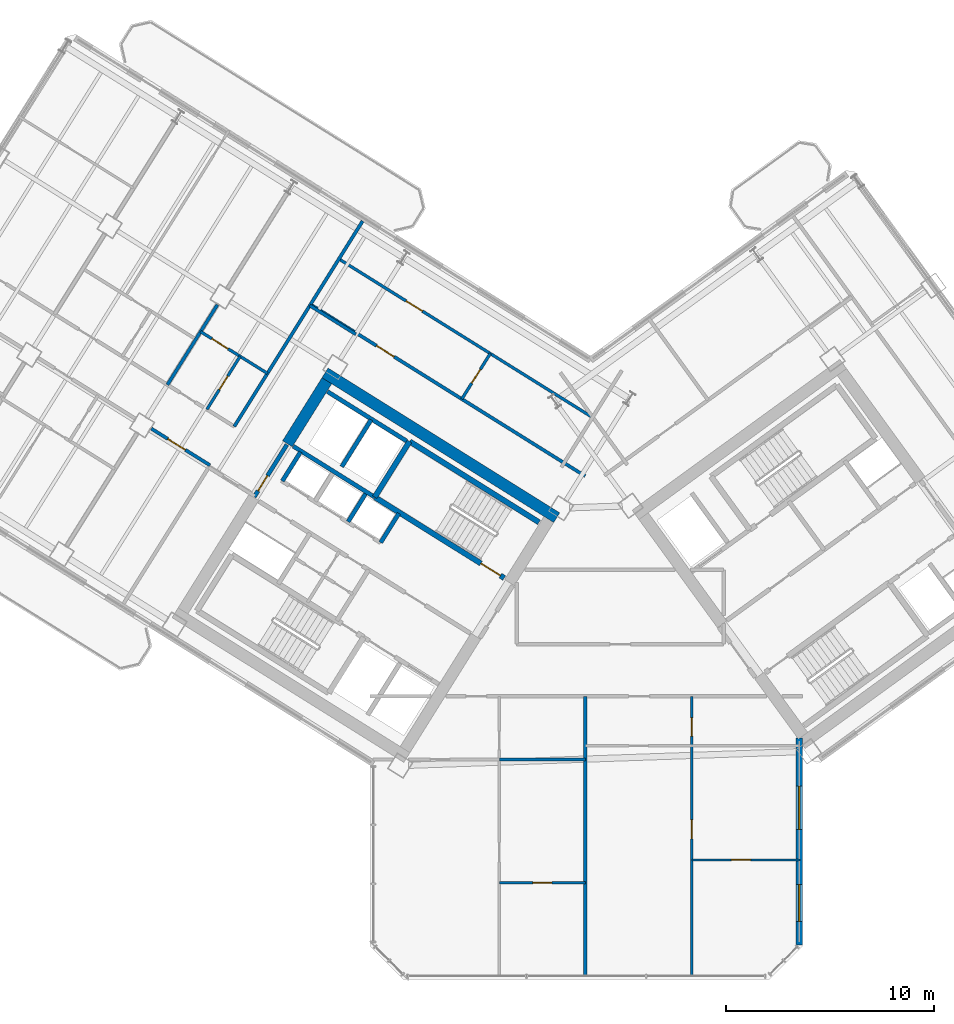
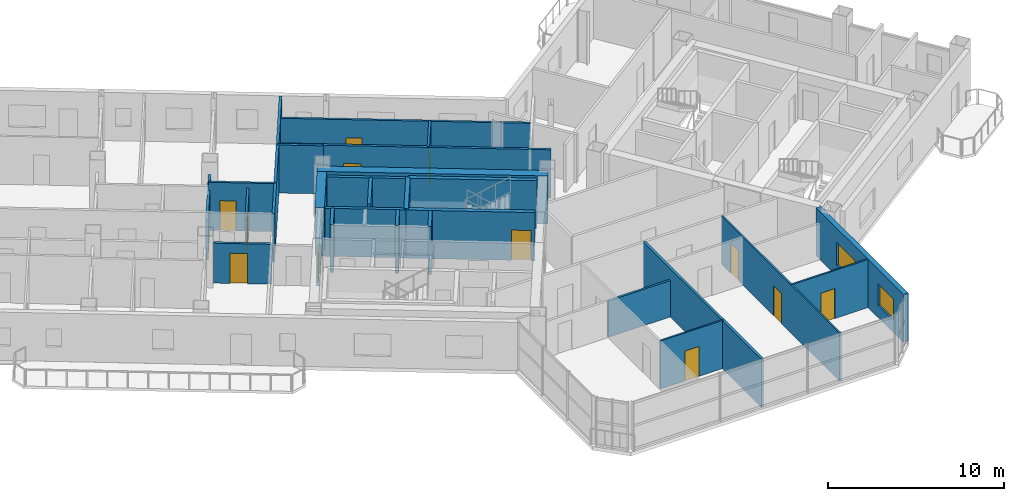
# One storey, part 13 of 21: 27 walls, 12 doors, 2 windows, 14 openings.
"""IFC4 building model written with IfcOpenShell, lengths in metres."""

from ifc_helpers import new_model, si_unit, direction, frame, frame_2d, origin, place, context, subcontext, project, spatial, rectangle, extrude, source, transform, mapped, material, layer, layer_set, type_object, element, fill, save


model = new_model("IFC4")

# Units and contexts
model_context = context("Model", 3, precision=1e-05, world=origin(), true_north=direction((0.0, 1.0)))
body_context = subcontext(model_context, "Body", "Model", "MODEL_VIEW")
ifc_project = project(units=[si_unit("LENGTHUNIT", "METRE"), si_unit("AREAUNIT", "SQUARE_METRE"), si_unit("VOLUMEUNIT", "CUBIC_METRE"), si_unit("PLANEANGLEUNIT", "RADIAN"), si_unit("MASSUNIT", "GRAM", prefix="KILO")], contexts=[model_context])

# Site, building, storey
site_placement = place(None, origin())
site = spatial("IfcSite", under=ifc_project, at=site_placement, CompositionType="ELEMENT")
building_placement = place(site_placement, origin())
building = spatial("IfcBuilding", under=site, at=building_placement, Name="Tlacorven Tower", CompositionType="ELEMENT")
storey_placement = place(building_placement, frame((0.0, 0.0, 112.5)))
storey = spatial("IfcBuildingStorey", under=building, at=storey_placement, Name="L28", CompositionType="ELEMENT", Elevation=112.5)

# Walls
ifc_material_1 = material(Name="Concrete C60/75", Category="concrete")
ifc_layer_1 = layer(ifc_material_1, 0.550048828125)
ifc_layer_set_1 = layer_set([ifc_layer_1], Name="Concrete C60/75")
wall_type_1 = type_object("IfcWallType", Name="WL-COR-550", PredefinedType="SHEAR", material=ifc_layer_set_1)
wall_1_placement = place(storey_placement, frame((40.572998046875, 24.010009765625, 0.0), z_axis=(0.0, 0.0, 1.0), x_axis=(-0.848047359947, 0.529920442413, 0.0)))
element("IfcWall", 1, at=wall_1_placement, inside=storey, type_object=wall_type_1, Name="L28 W core shear wall S1", PredefinedType="SHEAR", context=body_context, shape_type="SweptSolid", body=[
    extrude(rectangle(XDim=13.139892578125, YDim=0.550048828125, at=frame_2d((6.56982421875, 0.0))), origin(), (0.0, 0.0, 1.0), 3.35009765625),
])
wall_2_placement = place(storey_placement, frame((29.517333984375, 30.59423828125, 0.0), z_axis=(0.0, 0.0, 1.0), x_axis=(-0.529906864564, -0.848055844204, 0.0)))
element("IfcWall", 2, at=wall_2_placement, inside=storey, type_object=wall_type_1, Name="L28 W core end wall E2.1", PredefinedType="SHEAR", context=body_context, shape_type="SweptSolid", body=[
    extrude(rectangle(XDim=3.5751953125, YDim=0.550048828125, at=frame_2d((1.78759765625, 0.0))), origin(), (0.0, 0.0, 1.0), 3.35009765625),
])
ifc_material_2 = material(Name="Gypsum plasterboard acoustic partition", Category="gypsum")
ifc_layer_2 = layer(ifc_material_2, 0.159912109375)
ifc_layer_set_2 = layer_set([ifc_layer_2], Name="Gypsum plasterboard acoustic partition")
wall_type_2 = type_object("IfcWallType", Name="WL-DEM-160", PredefinedType="PARTITIONING", material=ifc_layer_set_2)
wall_3_placement = place(storey_placement, frame((30.91357421875, 32.82861328125, 0.0), z_axis=(0.0, 0.0, 1.0), x_axis=(-0.848008813643, 0.529982124211, 0.0)))
element("IfcWall", 3, at=wall_3_placement, inside=storey, type_object=wall_type_2, Name="L28 partition 45", PredefinedType="PARTITIONING", context=body_context, shape_type="SweptSolid", body=[
    extrude(rectangle(XDim=2.610107421875, YDim=0.159912109375, at=frame_2d((1.30517578125, 0.0))), origin(), (0.0, 0.0, 1.0), 3.340087890625),
])
wall_4_placement = place(storey_placement, frame((31.238525390625, 38.27392578125, 0.0), z_axis=(0.0, 0.0, 1.0), x_axis=(-0.529925472745, -0.848044216616, 0.0)))
element("IfcWall", 4, at=wall_4_placement, inside=storey, type_object=wall_type_2, Name="L28 partition 47", PredefinedType="PARTITIONING", context=body_context, shape_type="SweptSolid", body=[
    extrude(rectangle(XDim=11.64990234375, YDim=0.159912109375, at=frame_2d((5.824951171875, 0.0))), origin(), (0.0, 0.0, 1.0), 3.340087890625),
])

# Wall, opening, door
wall_5_placement = place(storey_placement, frame((23.899169921875, 26.528564453125, 0.0), z_axis=(0.0, 0.0, 1.0), x_axis=(-0.848064240775, 0.529893426567, 0.0)))
wall_5 = element("IfcWall", 5, at=wall_5_placement, inside=storey, type_object=wall_type_2, Name="L28 Wing W Corridor North Wall", PredefinedType="PARTITIONING", context=body_context, shape_type="SweptSolid", body=[
    extrude(rectangle(XDim=3.327880859375, YDim=0.159912109375, at=frame_2d((1.6640625, 0.0))), origin(), (0.0, 0.0, 1.0), 2.77490234375),
])
opening_1_placement = place(wall_5_placement, frame((1.39501953125, 0.0, 0.0)))
opening_1 = element("IfcOpeningElement", 6, at=opening_1_placement, cuts=wall_5, Name="Opening D11", PredefinedType="OPENING", context=body_context, shape_type="SweptSolid", body=[
    extrude(rectangle(XDim=1.0, YDim=2.10009765625, at=frame_2d((0.5, 1.050048828125))), frame((0.0, 0.08984375, 0.0), z_axis=(0.0, -1.0, 0.0), x_axis=(1.0, 0.0, 0.0)), (0.0, 0.0, 1.0), 0.179931640625),
])
ifc_material_3 = material(Name="Fire-rated steel door assembly", Category="steel")
door_type_1 = type_object("IfcDoorType", Name="DR-FLT-FD60-1000", OperationType="NOTDEFINED", PredefinedType="DOOR", material=ifc_material_3)
shared_shape_1 = source(origin(), body_context, "Body", "SweptSolid", [
    extrude(rectangle(XDim=1.0, YDim=2.10009765625, at=frame_2d((0.5, 1.050048828125))), frame((0.0, 0.02490234375, 0.0), z_axis=(0.0, -1.0, 0.0), x_axis=(1.0, 0.0, 0.0)), (0.0, 0.0, 1.0), 0.050048828125),
])
door_1_placement = place(opening_1_placement, origin())
door_1 = element("IfcDoor", 7, at=door_1_placement, inside=storey, type_object=door_type_1, Name="L28 door 024", OperationType="SINGLE_SWING_LEFT", OverallHeight=2.10009765625, OverallWidth=1.0, PredefinedType="DOOR", context=body_context, shape_type="MappedRepresentation", body=[
    mapped(shared_shape_1, transform((0.0, 0.0, 0.0), scale=1.0)),
])
fill(opening_1, door_1)

# Wall
wall_6_placement = place(storey_placement, frame((24.255615234375, 34.2509765625, 0.0), z_axis=(0.0, 0.0, 1.0), x_axis=(-0.529926399231, -0.848043637673, 0.0)))
element("IfcWall", 8, at=wall_6_placement, inside=storey, type_object=wall_type_2, Name="L28 WS Demising Wall 1", PredefinedType="PARTITIONING", context=body_context, shape_type="SweptSolid", body=[
    extrude(rectangle(XDim=4.537841796875, YDim=0.159912109375, at=frame_2d((2.26904296875, 0.0))), origin(), (0.0, 0.0, 1.0), 2.77490234375),
])

# Wall, opening, door
wall_7_placement = place(storey_placement, frame((41.93603515625, 26.011962890625, 0.0), z_axis=(0.0, 0.0, 1.0), x_axis=(-0.848051154596, 0.529914369676, 0.0)))
wall_7 = element("IfcWall", 9, at=wall_7_placement, inside=storey, type_object=wall_type_2, Name="L28 partition 69", PredefinedType="PARTITIONING", context=body_context, shape_type="SweptSolid", body=[
    extrude(rectangle(XDim=15.56982421875, YDim=0.159912109375, at=frame_2d((7.784912109375, 0.0))), origin(), (0.0, 0.0, 1.0), 3.340087890625),
])
opening_2_placement = place(wall_7_placement, frame((10.830078125, 0.0, 0.0)))
opening_2 = element("IfcOpeningElement", 10, at=opening_2_placement, cuts=wall_7, Name="Opening D11", PredefinedType="OPENING", context=body_context, shape_type="SweptSolid", body=[
    extrude(rectangle(XDim=1.0, YDim=2.10009765625, at=frame_2d((0.5, 1.050048828125))), frame((0.0, 0.08984375, 0.0), z_axis=(0.0, -1.0, 0.0), x_axis=(1.0, 0.0, 0.0)), (0.0, 0.0, 1.0), 0.179931640625),
])
door_2_placement = place(opening_2_placement, origin())
door_2 = element("IfcDoor", 11, at=door_2_placement, inside=storey, type_object=door_type_1, Name="L28 door 043", OperationType="SINGLE_SWING_RIGHT", OverallHeight=2.10009765625, OverallWidth=1.0, PredefinedType="DOOR", context=body_context, shape_type="MappedRepresentation", body=[
    mapped(shared_shape_1, transform((0.0, 0.0, 0.0), scale=1.0)),
])
fill(opening_2, door_2)

# Wall
wall_8_placement = place(storey_placement, frame((41.949951171875, 1.9599609375, 0.0), z_axis=(0.0, 0.0, 1.0), x_axis=(0.0, 1.0, 0.0)))
element("IfcWall", 12, at=wall_8_placement, inside=storey, type_object=wall_type_2, Name="L28 Knuckle Demising Wall 1", PredefinedType="PARTITIONING", context=body_context, shape_type="SweptSolid", body=[
    extrude(rectangle(XDim=13.4599609375, YDim=0.159912109375, at=frame_2d((6.72998046875, 0.0))), origin(), (0.0, 0.0, 1.0), 3.340087890625),
])

# Wall, openings, windows
ifc_material_4 = material(Name="Precast concrete C45/55", Category="concrete")
ifc_layer_3 = layer(ifc_material_4, 0.320068359375)
ifc_layer_set_3 = layer_set([ifc_layer_3], Name="Precast concrete C45/55")
wall_type_3 = type_object("IfcWallType", Name="WL-EXT-320", PredefinedType="STANDARD", material=ifc_layer_set_3)
wall_9_placement = place(storey_placement, frame((52.239990234375, 13.4140625, 0.0), z_axis=(0.0, 0.0, 1.0), x_axis=(0.0, -1.0, 0.0)))
wall_9 = element("IfcWall", 13, at=wall_9_placement, inside=storey, type_object=wall_type_3, Name="L28 Masonry-Frame Recessed Facade Wall 7", PredefinedType="STANDARD", context=body_context, shape_type="SweptSolid", body=[
    extrude(rectangle(XDim=9.94775390625, YDim=0.320068359375, at=frame_2d((4.973876953125, 0.0))), origin(), (0.0, 0.0, 1.0), 3.35009765625),
])
opening_3_placement = place(wall_9_placement, frame((2.31005859375, 0.0, 0.800048828125)))
opening_3 = element("IfcOpeningElement", 14, at=opening_3_placement, cuts=wall_9, Name="Opening WN04", PredefinedType="OPENING", context=body_context, shape_type="SweptSolid", body=[
    extrude(rectangle(XDim=2.10009765625, YDim=1.550048828125, at=frame_2d((1.050048828125, 0.77490234375))), frame((0.0, 0.169921875, 0.0), z_axis=(0.0, -1.0, 0.0), x_axis=(1.0, 0.0, 0.0)), (0.0, 0.0, 1.0), 0.340087890625),
])
opening_4_placement = place(wall_9_placement, frame((7.033447265625, 0.0, 0.85009765625)))
opening_4 = element("IfcOpeningElement", 15, at=opening_4_placement, cuts=wall_9, Name="Opening WN01", PredefinedType="OPENING", context=body_context, shape_type="SweptSolid", body=[
    extrude(rectangle(XDim=1.800048828125, YDim=1.5, at=frame_2d((0.89990234375, 0.75))), frame((0.0, 0.169921875, 0.0), z_axis=(0.0, -1.0, 0.0), x_axis=(1.0, 0.0, 0.0)), (0.0, 0.0, 1.0), 0.340087890625),
])
ifc_material_5 = material(Name="Dark solar low-E double glazing in anodised aluminium frame", Category="aluminium")
window_type_1 = type_object("IfcWindowType", Name="WN-APT-2100X1750", PartitioningType="SINGLE_PANEL", PredefinedType="WINDOW", material=ifc_material_5)
shared_shape_2 = source(origin(), body_context, "Body", "SweptSolid", [
    extrude(rectangle(XDim=2.10009765625, YDim=1.550048828125, at=frame_2d((1.050048828125, 0.77490234375))), frame((0.0, 0.030029296875, 0.0), z_axis=(0.0, -1.0, 0.0), x_axis=(1.0, 0.0, 0.0)), (0.0, 0.0, 1.0), 0.06005859375),
])
window_1_placement = place(opening_3_placement, origin())
window_1 = element("IfcWindow", 16, at=window_1_placement, inside=storey, type_object=window_type_1, Name="L28 Recessed Masonry-Frame Window L28-07.1", OverallHeight=1.550048828125, OverallWidth=2.10009765625, PartitioningType="SINGLE_PANEL", PredefinedType="WINDOW", context=body_context, shape_type="MappedRepresentation", body=[
    mapped(shared_shape_2, transform((0.0, 0.0, 0.0), scale=1.0)),
])
fill(opening_3, window_1)
window_type_2 = type_object("IfcWindowType", Name="WN-APT-1800X1650", PartitioningType="SINGLE_PANEL", PredefinedType="WINDOW", material=ifc_material_5)
shared_shape_3 = source(origin(), body_context, "Body", "SweptSolid", [
    extrude(rectangle(XDim=1.800048828125, YDim=1.5, at=frame_2d((0.89990234375, 0.75))), frame((0.0, 0.030029296875, 0.0), z_axis=(0.0, -1.0, 0.0), x_axis=(1.0, 0.0, 0.0)), (0.0, 0.0, 1.0), 0.06005859375),
])
window_2_placement = place(opening_4_placement, origin())
window_2 = element("IfcWindow", 17, at=window_2_placement, inside=storey, type_object=window_type_2, Name="L28 Recessed Masonry-Frame Window L28-07.2", OverallHeight=1.5, OverallWidth=1.800048828125, PartitioningType="SINGLE_PANEL", PredefinedType="WINDOW", context=body_context, shape_type="MappedRepresentation", body=[
    mapped(shared_shape_3, transform((0.0, 0.0, 0.0), scale=1.0)),
])
fill(opening_4, window_2)

# Wall, opening, door
ifc_material_6 = material(Name="Gypsum plasterboard partition", Category="gypsum")
ifc_layer_4 = layer(ifc_material_6, 0.110107421875)
ifc_layer_set_4 = layer_set([ifc_layer_4], Name="Gypsum plasterboard partition")
wall_type_4 = type_object("IfcWallType", Name="WL-INT-110", PredefinedType="PARTITIONING", material=ifc_layer_set_4)
wall_10_placement = place(storey_placement, frame((37.81298828125, 6.449951171875, 0.0), z_axis=(0.0, 0.0, 1.0), x_axis=(1.0, 0.0, 0.0)))
wall_10 = element("IfcWall", 18, at=wall_10_placement, inside=storey, type_object=wall_type_4, Name="L28 partition 84", PredefinedType="PARTITIONING", context=body_context, shape_type="SweptSolid", body=[
    extrude(rectangle(XDim=4.136962890625, YDim=0.110107421875, at=frame_2d((2.068359375, 0.0))), origin(), (0.0, 0.0, 1.0), 3.340087890625),
])
opening_5_placement = place(wall_10_placement, frame((1.6083984375, 0.0, 0.0)))
opening_5 = element("IfcOpeningElement", 19, at=opening_5_placement, cuts=wall_10, Name="Opening D12", PredefinedType="OPENING", context=body_context, shape_type="SweptSolid", body=[
    extrude(rectangle(XDim=0.919921875, YDim=2.080078125, at=frame_2d((0.4599609375, 1.0400390625))), frame((0.0, 0.06494140625, 0.0), z_axis=(0.0, -1.0, 0.0), x_axis=(1.0, 0.0, 0.0)), (0.0, 0.0, 1.0), 0.130126953125),
])
ifc_material_7 = material(Name="Powder-coated aluminium and timber door", Category="wood")
door_type_2 = type_object("IfcDoorType", Name="DR-INT-ROOM-0920", OperationType="NOTDEFINED", PredefinedType="DOOR", material=ifc_material_7)
shared_shape_4 = source(origin(), body_context, "Body", "SweptSolid", [
    extrude(rectangle(XDim=0.919921875, YDim=2.080078125, at=frame_2d((0.4599609375, 1.0400390625))), frame((0.0, 0.02490234375, 0.0), z_axis=(0.0, -1.0, 0.0), x_axis=(1.0, 0.0, 0.0)), (0.0, 0.0, 1.0), 0.050048828125),
])
door_3_placement = place(opening_5_placement, origin())
door_3 = element("IfcDoor", 20, at=door_3_placement, inside=storey, type_object=door_type_2, Name="L28 door 050", OperationType="SINGLE_SWING_LEFT", OverallHeight=2.080078125, OverallWidth=0.919921875, PredefinedType="DOOR", context=body_context, shape_type="MappedRepresentation", body=[
    mapped(shared_shape_4, transform((0.0, 0.0, 0.0), scale=1.0)),
])
fill(opening_5, door_3)

# Wall, openings, doors
wall_11_placement = place(storey_placement, frame((47.072021484375, 1.9599609375, 0.0), z_axis=(0.0, 0.0, 1.0), x_axis=(0.0, 1.0, 0.0)))
wall_11 = element("IfcWall", 21, at=wall_11_placement, inside=storey, type_object=wall_type_4, Name="L28 partition 85", PredefinedType="PARTITIONING", context=body_context, shape_type="SweptSolid", body=[
    extrude(rectangle(XDim=13.4599609375, YDim=0.110107421875, at=frame_2d((6.72998046875, 0.0))), origin(), (0.0, 0.0, 1.0), 3.340087890625),
])
opening_6_placement = place(wall_11_placement, frame((6.60009765625, 0.0, 0.0)))
opening_6 = element("IfcOpeningElement", 22, at=opening_6_placement, cuts=wall_11, Name="Opening D12", PredefinedType="OPENING", context=body_context, shape_type="SweptSolid", body=[
    extrude(rectangle(XDim=0.919921875, YDim=2.080078125, at=frame_2d((0.4599609375, 1.0400390625))), frame((0.0, 0.06494140625, 0.0), z_axis=(0.0, -1.0, 0.0), x_axis=(1.0, 0.0, 0.0)), (0.0, 0.0, 1.0), 0.130126953125),
])
opening_7_placement = place(wall_11_placement, frame((11.5400390625, 0.0, 0.0)))
opening_7 = element("IfcOpeningElement", 23, at=opening_7_placement, cuts=wall_11, Name="Opening D13", PredefinedType="OPENING", context=body_context, shape_type="SweptSolid", body=[
    extrude(rectangle(XDim=0.8798828125, YDim=2.080078125, at=frame_2d((0.43994140625, 1.0400390625))), frame((0.0, 0.06494140625, 0.0), z_axis=(0.0, -1.0, 0.0), x_axis=(1.0, 0.0, 0.0)), (0.0, 0.0, 1.0), 0.130126953125),
])
door_type_3 = type_object("IfcDoorType", Name="DR-INT-WET-0880", OperationType="NOTDEFINED", PredefinedType="DOOR", material=ifc_material_7)
shared_shape_5 = source(origin(), body_context, "Body", "SweptSolid", [
    extrude(rectangle(XDim=0.8798828125, YDim=2.080078125, at=frame_2d((0.43994140625, 1.0400390625))), frame((0.0, 0.02490234375, 0.0), z_axis=(0.0, -1.0, 0.0), x_axis=(1.0, 0.0, 0.0)), (0.0, 0.0, 1.0), 0.050048828125),
])
door_4_placement = place(opening_7_placement, origin())
door_4 = element("IfcDoor", 24, at=door_4_placement, inside=storey, type_object=door_type_3, Name="L28 door 058", OperationType="SINGLE_SWING_LEFT", OverallHeight=2.080078125, OverallWidth=0.8798828125, PredefinedType="DOOR", context=body_context, shape_type="MappedRepresentation", body=[
    mapped(shared_shape_5, transform((0.0, 0.0, 0.0), scale=1.0)),
])
fill(opening_7, door_4)
door_5_placement = place(opening_6_placement, origin())
door_5 = element("IfcDoor", 25, at=door_5_placement, inside=storey, type_object=door_type_2, Name="L28 door 054", OperationType="SINGLE_SWING_LEFT", OverallHeight=2.080078125, OverallWidth=0.919921875, PredefinedType="DOOR", context=body_context, shape_type="MappedRepresentation", body=[
    mapped(shared_shape_4, transform((0.0, 0.0, 0.0), scale=1.0)),
])
fill(opening_6, door_5)

# Wall, opening, door
wall_12_placement = place(storey_placement, frame((47.072021484375, 7.550048828125, 0.0), z_axis=(0.0, 0.0, 1.0), x_axis=(1.0, 0.0, 0.0)))
wall_12 = element("IfcWall", 26, at=wall_12_placement, inside=storey, type_object=wall_type_4, Name="L28 partition 88", PredefinedType="PARTITIONING", context=body_context, shape_type="SweptSolid", body=[
    extrude(rectangle(XDim=5.18798828125, YDim=0.110107421875, at=frame_2d((2.593994140625, 0.0))), origin(), (0.0, 0.0, 1.0), 3.340087890625),
])
opening_8_placement = place(wall_12_placement, frame((1.904052734375, 0.0, 0.0)))
opening_8 = element("IfcOpeningElement", 27, at=opening_8_placement, cuts=wall_12, Name="Opening D12", PredefinedType="OPENING", context=body_context, shape_type="SweptSolid", body=[
    extrude(rectangle(XDim=0.919921875, YDim=2.080078125, at=frame_2d((0.4599609375, 1.0400390625))), frame((0.0, 0.06494140625, 0.0), z_axis=(0.0, -1.0, 0.0), x_axis=(1.0, 0.0, 0.0)), (0.0, 0.0, 1.0), 0.130126953125),
])
door_6_placement = place(opening_8_placement, origin())
door_6 = element("IfcDoor", 28, at=door_6_placement, inside=storey, type_object=door_type_2, Name="L28 door 055", OperationType="SINGLE_SWING_RIGHT", OverallHeight=2.080078125, OverallWidth=0.919921875, PredefinedType="DOOR", context=body_context, shape_type="MappedRepresentation", body=[
    mapped(shared_shape_4, transform((0.0, 0.0, 0.0), scale=1.0)),
])
fill(opening_8, door_6)

ifc_material_8 = material(Name="Moisture-resistant gypsum plumbing wall", Category="gypsum")
ifc_layer_5 = layer(ifc_material_8, 0.139892578125)
ifc_layer_set_5 = layer_set([ifc_layer_5], Name="Moisture-resistant gypsum plumbing wall")
wall_type_5 = type_object("IfcWallType", Name="WL-PLM-140", PredefinedType="PLUMBINGWALL", material=ifc_layer_set_5)
wall_13_placement = place(storey_placement, frame((26.659912109375, 30.94677734375, 0.0), z_axis=(0.0, 0.0, 1.0), x_axis=(-0.84803087207, 0.529946827537, 0.0)))
wall_13 = element("IfcWall", 29, at=wall_13_placement, inside=storey, type_object=wall_type_5, Name="L28 partition 62", PredefinedType="PLUMBINGWALL", context=body_context, shape_type="SweptSolid", body=[
    extrude(rectangle(XDim=3.7900390625, YDim=0.139892578125, at=frame_2d((1.89501953125, 0.0))), origin(), (0.0, 0.0, 1.0), 3.340087890625),
])
opening_9_placement = place(wall_13_placement, frame((2.22998046875, 0.0, 0.0)))
opening_9 = element("IfcOpeningElement", 30, at=opening_9_placement, cuts=wall_13, Name="Opening D12", PredefinedType="OPENING", context=body_context, shape_type="SweptSolid", body=[
    extrude(rectangle(XDim=0.919921875, YDim=2.080078125, at=frame_2d((0.4599609375, 1.0400390625))), frame((0.0, 0.080078125, 0.0), z_axis=(0.0, -1.0, 0.0), x_axis=(1.0, 0.0, 0.0)), (0.0, 0.0, 1.0), 0.159912109375),
])
door_7_placement = place(opening_9_placement, origin())
door_7 = element("IfcDoor", 31, at=door_7_placement, inside=storey, type_object=door_type_2, Name="L28 door 035", OperationType="SINGLE_SWING_RIGHT", OverallHeight=2.080078125, OverallWidth=0.919921875, PredefinedType="DOOR", context=body_context, shape_type="MappedRepresentation", body=[
    mapped(shared_shape_4, transform((0.0, 0.0, 0.0), scale=1.0)),
])
fill(opening_9, door_7)

wall_14_placement = place(storey_placement, frame((25.345458984375, 31.768310546875, 0.0), z_axis=(0.0, 0.0, 1.0), x_axis=(-0.529882284462, -0.848071202561, 0.0)))
wall_14 = element("IfcWall", 32, at=wall_14_placement, inside=storey, type_object=wall_type_5, Name="L28 partition 63", PredefinedType="PLUMBINGWALL", context=body_context, shape_type="SweptSolid", body=[
    extrude(rectangle(XDim=3.010009765625, YDim=0.139892578125, at=frame_2d((1.5048828125, 0.0))), origin(), (0.0, 0.0, 1.0), 2.9951171875),
])
opening_10_placement = place(wall_14_placement, frame((1.114990234375, 0.0, 0.0)))
opening_10 = element("IfcOpeningElement", 33, at=opening_10_placement, cuts=wall_14, Name="Opening D22", PredefinedType="OPENING", context=body_context, shape_type="SweptSolid", body=[
    extrude(rectangle(XDim=0.780029296875, YDim=2.050048828125, at=frame_2d((0.39013671875, 1.02490234375))), frame((0.0, 0.080078125, 0.0), z_axis=(0.0, -1.0, 0.0), x_axis=(1.0, 0.0, 0.0)), (0.0, 0.0, 1.0), 0.159912109375),
])
door_type_4 = type_object("IfcDoorType", Name="DR-INT-WET-0780", OperationType="NOTDEFINED", PredefinedType="DOOR", material=ifc_material_7)
shared_shape_6 = source(origin(), body_context, "Body", "SweptSolid", [
    extrude(rectangle(XDim=0.780029296875, YDim=2.050048828125, at=frame_2d((0.39013671875, 1.02490234375))), frame((0.0, 0.02490234375, 0.0), z_axis=(0.0, -1.0, 0.0), x_axis=(1.0, 0.0, 0.0)), (0.0, 0.0, 1.0), 0.050048828125),
])
door_8_placement = place(opening_10_placement, origin())
door_8 = element("IfcDoor", 34, at=door_8_placement, inside=storey, type_object=door_type_4, Name="L28 door 036", OperationType="SINGLE_SWING_LEFT", OverallHeight=2.050048828125, OverallWidth=0.780029296875, PredefinedType="DOOR", context=body_context, shape_type="MappedRepresentation", body=[
    mapped(shared_shape_6, transform((0.0, 0.0, 0.0), scale=1.0)),
])
fill(opening_10, door_8)

wall_15_placement = place(storey_placement, frame((42.226318359375, 28.872802734375, 0.0), z_axis=(0.0, 0.0, 1.0), x_axis=(-0.848049134363, 0.529917602752, 0.0)))
wall_15 = element("IfcWall", 35, at=wall_15_placement, inside=storey, type_object=wall_type_5, Name="L28 partition 71", PredefinedType="PLUMBINGWALL", context=body_context, shape_type="SweptSolid", body=[
    extrude(rectangle(XDim=14.300048828125, YDim=0.139892578125, at=frame_2d((7.14990234375, 0.0))), origin(), (0.0, 0.0, 1.0), 3.340087890625),
])
opening_11_placement = place(wall_15_placement, frame((9.570068359375, 0.0, 0.0)))
opening_11 = element("IfcOpeningElement", 36, at=opening_11_placement, cuts=wall_15, Name="Opening D12", PredefinedType="OPENING", context=body_context, shape_type="SweptSolid", body=[
    extrude(rectangle(XDim=0.919921875, YDim=2.080078125, at=frame_2d((0.4599609375, 1.0400390625))), frame((0.0, 0.080078125, 0.0), z_axis=(0.0, -1.0, 0.0), x_axis=(1.0, 0.0, 0.0)), (0.0, 0.0, 1.0), 0.159912109375),
])
door_9_placement = place(opening_11_placement, origin())
door_9 = element("IfcDoor", 37, at=door_9_placement, inside=storey, type_object=door_type_2, Name="L28 door 044", OperationType="SINGLE_SWING_LEFT", OverallHeight=2.080078125, OverallWidth=0.919921875, PredefinedType="DOOR", context=body_context, shape_type="MappedRepresentation", body=[
    mapped(shared_shape_4, transform((0.0, 0.0, 0.0), scale=1.0)),
])
fill(opening_11, door_9)

wall_16_placement = place(storey_placement, frame((37.37548828125, 31.904052734375, 0.0), z_axis=(0.0, 0.0, 1.0), x_axis=(-0.529913878929, -0.848051461244, 0.0)))
wall_16 = element("IfcWall", 38, at=wall_16_placement, inside=storey, type_object=wall_type_5, Name="L28 partition 72", PredefinedType="PLUMBINGWALL", context=body_context, shape_type="SweptSolid", body=[
    extrude(rectangle(XDim=2.580078125, YDim=0.139892578125, at=frame_2d((1.2900390625, 0.0))), origin(), (0.0, 0.0, 1.0), 3.340087890625),
])
opening_12_placement = place(wall_16_placement, frame((0.89990234375, 0.0, 0.0)))
opening_12 = element("IfcOpeningElement", 39, at=opening_12_placement, cuts=wall_16, Name="Opening D22", PredefinedType="OPENING", context=body_context, shape_type="SweptSolid", body=[
    extrude(rectangle(XDim=0.780029296875, YDim=2.050048828125, at=frame_2d((0.39013671875, 1.02490234375))), frame((0.0, 0.080078125, 0.0), z_axis=(0.0, -1.0, 0.0), x_axis=(1.0, 0.0, 0.0)), (0.0, 0.0, 1.0), 0.159912109375),
])
door_10_placement = place(opening_12_placement, origin())
door_10 = element("IfcDoor", 40, at=door_10_placement, inside=storey, type_object=door_type_4, Name="L28 door 045", OperationType="SINGLE_SWING_RIGHT", OverallHeight=2.050048828125, OverallWidth=0.780029296875, PredefinedType="DOOR", context=body_context, shape_type="MappedRepresentation", body=[
    mapped(shared_shape_6, transform((0.0, 0.0, 0.0), scale=1.0)),
])
fill(opening_12, door_10)

# Walls
wall_17_placement = place(storey_placement, frame((37.81298828125, 12.389892578125, 0.0), z_axis=(0.0, 0.0, 1.0), x_axis=(1.0, 0.0, 0.0)))
element("IfcWall", 41, at=wall_17_placement, inside=storey, type_object=wall_type_5, Name="L28 partition 83", PredefinedType="PLUMBINGWALL", context=body_context, shape_type="SweptSolid", body=[
    extrude(rectangle(XDim=4.136962890625, YDim=0.139892578125, at=frame_2d((2.068359375, 0.0))), origin(), (0.0, 0.0, 1.0), 2.52490234375),
])
ifc_material_9 = material(Name="Concrete C40/50", Category="concrete")
ifc_layer_6 = layer(ifc_material_9, 0.199951171875)
ifc_layer_set_6 = layer_set([ifc_layer_6], Name="Concrete C40/50")
wall_type_6 = type_object("IfcWallType", Name="WL-SHF-200", PredefinedType="STANDARD", material=ifc_layer_set_6)
wall_18_placement = place(storey_placement, frame((31.82177734375, 24.99755859375, 0.0), z_axis=(0.0, 0.0, 1.0), x_axis=(-0.848036912365, 0.52993716162, 0.0)))
element("IfcWall", 42, at=wall_18_placement, inside=storey, type_object=wall_type_6, Name="L28 Core W South Lift Shaft Wall", PredefinedType="STANDARD", context=body_context, shape_type="SweptSolid", body=[
    extrude(rectangle(XDim=4.617919921875, YDim=0.199951171875, at=frame_2d((2.30908203125, 0.0))), origin(), (0.0, 0.0, 1.0), 3.340087890625),
])
wall_19_placement = place(storey_placement, frame((32.982421875, 24.21337890625, 0.0), z_axis=(0.0, 0.0, 1.0), x_axis=(-0.529839334948, -0.84809803628, 0.0)))
element("IfcWall", 43, at=wall_19_placement, inside=storey, type_object=wall_type_6, Name="L28 partition 12", PredefinedType="STANDARD", context=body_context, shape_type="SweptSolid", body=[
    extrude(rectangle(XDim=1.650146484375, YDim=0.199951171875, at=frame_2d((0.8251953125, 0.0))), origin(), (0.0, 0.0, 1.0), 3.340087890625),
])
wall_20_placement = place(storey_placement, frame((28.250244140625, 27.170166015625, 0.0), z_axis=(0.0, 0.0, 1.0), x_axis=(-0.529905827651, -0.848056492117, 0.0)))
element("IfcWall", 44, at=wall_20_placement, inside=storey, type_object=wall_type_6, Name="L28 partition 13", PredefinedType="STANDARD", context=body_context, shape_type="SweptSolid", body=[
    extrude(rectangle(XDim=1.64990234375, YDim=0.199951171875, at=frame_2d((0.824951171875, 0.0))), origin(), (0.0, 0.0, 1.0), 3.340087890625),
])
wall_21_placement = place(storey_placement, frame((31.645263671875, 28.716064453125, 0.0), z_axis=(0.0, 0.0, 1.0), x_axis=(-0.52986693015, -0.848080795876, 0.0)))
element("IfcWall", 45, at=wall_21_placement, inside=storey, type_object=wall_type_6, Name="L28 partition 15", PredefinedType="STANDARD", context=body_context, shape_type="SweptSolid", body=[
    extrude(rectangle(XDim=2.659912109375, YDim=0.199951171875, at=frame_2d((1.330078125, 0.0))), origin(), (0.0, 0.0, 1.0), 3.340087890625),
])
wall_22_placement = place(storey_placement, frame((33.362548828125, 27.690185546875, 0.0), z_axis=(0.0, 0.0, 1.0), x_axis=(-0.848047090064, 0.529920874315, 0.0)))
element("IfcWall", 46, at=wall_22_placement, inside=storey, type_object=wall_type_6, Name="L28 partition 17", PredefinedType="STANDARD", context=body_context, shape_type="SweptSolid", body=[
    extrude(rectangle(XDim=4.498046875, YDim=0.199951171875, at=frame_2d((2.2490234375, 0.0))), origin(), (0.0, 0.0, 1.0), 3.340087890625),
])
wall_23_placement = place(storey_placement, frame((31.378662109375, 25.156494140625, 0.0), z_axis=(0.0, 0.0, 1.0), x_axis=(-0.529998940003, -0.847998304005, 0.0)))
element("IfcWall", 47, at=wall_23_placement, inside=storey, type_object=wall_type_6, Name="L28 partition 18", PredefinedType="STANDARD", context=body_context, shape_type="SweptSolid", body=[
    extrude(rectangle(XDim=1.580078125, YDim=0.199951171875, at=frame_2d((0.7900390625, 0.0))), origin(), (0.0, 0.0, 1.0), 3.340087890625),
])

# Wall, opening, door
wall_24_placement = place(storey_placement, frame((27.59619140625, 27.52001953125, 0.0), z_axis=(0.0, 0.0, 1.0), x_axis=(-0.529865479138, -0.848081702443, 0.0)))
wall_24 = element("IfcWall", 48, at=wall_24_placement, inside=storey, type_object=wall_type_6, Name="L28 partition 44", PredefinedType="STANDARD", context=body_context, shape_type="SweptSolid", body=[
    extrude(rectangle(XDim=2.9599609375, YDim=0.199951171875, at=frame_2d((1.47998046875, 0.0))), origin(), (0.0, 0.0, 1.0), 3.340087890625),
])
opening_13_placement = place(wall_24_placement, frame((1.760009765625, 0.0, 0.0)))
opening_13 = element("IfcOpeningElement", 49, at=opening_13_placement, cuts=wall_24, Name="Opening D19", PredefinedType="OPENING", context=body_context, shape_type="SweptSolid", body=[
    extrude(rectangle(XDim=0.860107421875, YDim=2.050048828125, at=frame_2d((0.43017578125, 1.02490234375))), frame((0.0, 0.10986328125, 0.0), z_axis=(0.0, -1.0, 0.0), x_axis=(1.0, 0.0, 0.0)), (0.0, 0.0, 1.0), 0.219970703125),
])
door_type_5 = type_object("IfcDoorType", Name="DR-RSR-FD60-0860", OperationType="NOTDEFINED", PredefinedType="DOOR", material=ifc_material_3)
shared_shape_7 = source(origin(), body_context, "Body", "SweptSolid", [
    extrude(rectangle(XDim=0.860107421875, YDim=2.050048828125, at=frame_2d((0.43017578125, 1.02490234375))), frame((0.0, 0.02490234375, 0.0), z_axis=(0.0, -1.0, 0.0), x_axis=(1.0, 0.0, 0.0)), (0.0, 0.0, 1.0), 0.050048828125),
])
door_11_placement = place(opening_13_placement, origin())
door_11 = element("IfcDoor", 50, at=door_11_placement, inside=storey, type_object=door_type_5, Name="L28 door 023", OperationType="SINGLE_SWING_LEFT", OverallHeight=2.050048828125, OverallWidth=0.860107421875, PredefinedType="DOOR", context=body_context, shape_type="MappedRepresentation", body=[
    mapped(shared_shape_7, transform((0.0, 0.0, 0.0), scale=1.0)),
])
fill(opening_13, door_11)

# Wall
ifc_material_10 = material(Name="Concrete C50/60", Category="concrete")
ifc_layer_7 = layer(ifc_material_10, 0.260009765625)
ifc_layer_set_7 = layer_set([ifc_layer_7], Name="Concrete C50/60")
wall_type_7 = type_object("IfcWallType", Name="WL-STW-260", PredefinedType="SHEAR", material=ifc_layer_set_7)
wall_25_placement = place(storey_placement, frame((39.720947265625, 23.787841796875, 0.0), z_axis=(0.0, 0.0, 1.0), x_axis=(-0.848054434086, 0.529909121291, 0.0)))
element("IfcWall", 51, at=wall_25_placement, inside=storey, type_object=wall_type_7, Name="L28 Stair W2 Far Shear Wall", PredefinedType="SHEAR", context=body_context, shape_type="SweptSolid", body=[
    extrude(rectangle(XDim=7.330078125, YDim=0.260009765625, at=frame_2d((3.6650390625, 0.0))), origin(), (0.0, 0.0, 1.0), 3.35009765625),
])

# Wall, opening, door
wall_26_placement = place(storey_placement, frame((38.04638671875, 21.10791015625, 0.0), z_axis=(0.0, 0.0, 1.0), x_axis=(-0.848054434086, 0.529909121291, 0.0)))
wall_26 = element("IfcWall", 52, at=wall_26_placement, inside=storey, type_object=wall_type_7, Name="L28 Stair W2 Lobby Shear Wall", PredefinedType="SHEAR", context=body_context, shape_type="SweptSolid", body=[
    extrude(rectangle(XDim=7.330078125, YDim=0.260009765625, at=frame_2d((3.6650390625, 0.0))), origin(), (0.0, 0.0, 1.0), 3.35009765625),
])
opening_14_placement = place(wall_26_placement, frame((0.219970703125, 0.0, 0.0)))
opening_14 = element("IfcOpeningElement", 53, at=opening_14_placement, cuts=wall_26, Name="Opening D07", PredefinedType="OPENING", context=body_context, shape_type="SweptSolid", body=[
    extrude(rectangle(XDim=1.10009765625, YDim=2.10009765625, at=frame_2d((0.550048828125, 1.050048828125))), frame((0.0, 0.14013671875, 0.0), z_axis=(0.0, -1.0, 0.0), x_axis=(1.0, 0.0, 0.0)), (0.0, 0.0, 1.0), 0.280029296875),
])
door_type_6 = type_object("IfcDoorType", Name="DR-STR-FD90-1100", OperationType="NOTDEFINED", PredefinedType="DOOR", material=ifc_material_3)
shared_shape_8 = source(origin(), body_context, "Body", "SweptSolid", [
    extrude(rectangle(XDim=1.10009765625, YDim=2.10009765625, at=frame_2d((0.550048828125, 1.050048828125))), frame((0.0, 0.02490234375, 0.0), z_axis=(0.0, -1.0, 0.0), x_axis=(1.0, 0.0, 0.0)), (0.0, 0.0, 1.0), 0.050048828125),
])
door_12_placement = place(opening_14_placement, origin())
door_12 = element("IfcDoor", 54, at=door_12_placement, inside=storey, type_object=door_type_6, Name="L28 Exit Stair W2 Fire Door", OperationType="SINGLE_SWING_LEFT", OverallHeight=2.10009765625, OverallWidth=1.10009765625, PredefinedType="DOOR", context=body_context, shape_type="MappedRepresentation", body=[
    mapped(shared_shape_8, transform((0.0, 0.0, 0.0), scale=1.0)),
])
fill(opening_14, door_12)

# Wall
wall_27_placement = place(storey_placement, frame((33.496337890625, 27.677490234375, 0.0), z_axis=(0.0, 0.0, 1.0), x_axis=(-0.529908658664, -0.84805472316, 0.0)))
element("IfcWall", 55, at=wall_27_placement, inside=storey, type_object=wall_type_7, Name="L28 Stair W2 East Shear Wall", PredefinedType="SHEAR", context=body_context, shape_type="SweptSolid", body=[
    extrude(rectangle(XDim=3.16015625, YDim=0.260009765625, at=frame_2d((1.580078125, 0.0))), origin(), (0.0, 0.0, 1.0), 3.35009765625),
])

save(model, "model.ifc")
